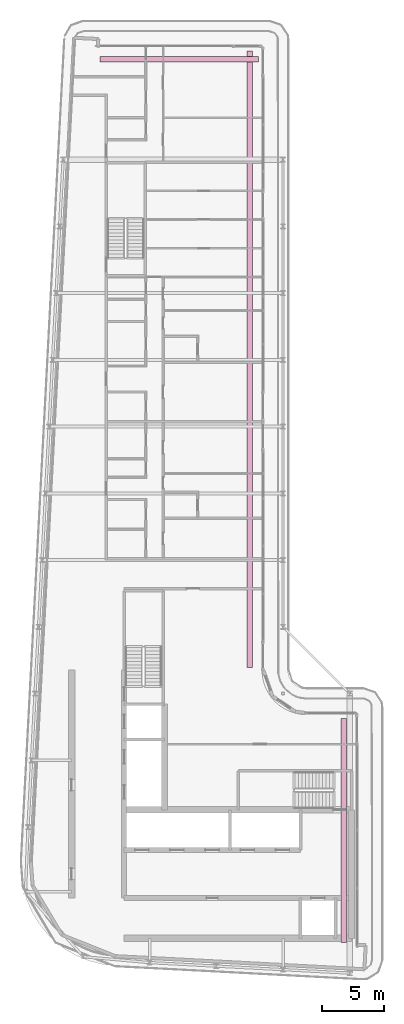
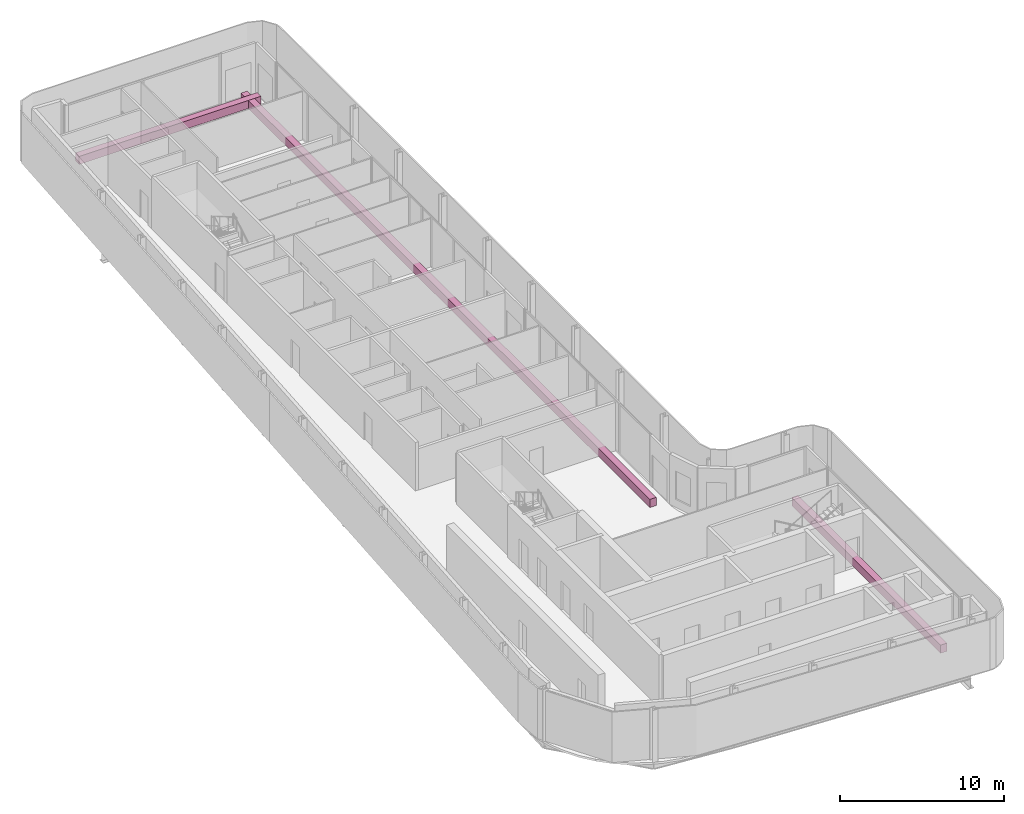
# One storey, part 18 of 18: 3 furniture elements.
"""IFC4 building model written with IfcOpenShell, lengths in metres."""

import ifcopenshell
import ifcopenshell.guid

model = None  # the IFC model being written
_history = None  # IfcOwnerHistory: only IFC2X3 demands one
_inside = {}  # id of a spatial element -> (the spatial element, [elements in it])
_under = {}  # id of a project, library or spatial element -> (it, [spatial elements below it])
_declared = {}  # id of a project -> (the project, [libraries it declares])
_typed = {}  # id of a type object -> (the type object, [elements of that type])
_made_of = {}  # id of a material, layer set ... -> (it, [elements and type objects made of it])


def new_model(schema):
    """Start an empty IFC model of exactly this schema.

    Asked for "IFC4X3", IfcOpenShell would pick the latest addendum, in which some entities
    have other attributes; the version numbers below select the first issue.
    IFC2X3 requires an IfcOwnerHistory on every rooted entity: one is made here for all.
    """
    global model, _history
    if schema == "IFC4X3":
        model = ifcopenshell.file(schema_version=(4, 3, 0, 0))
    else:
        model = ifcopenshell.file(schema=schema)
    _inside.clear()
    _under.clear()
    _declared.clear()
    _typed.clear()
    _made_of.clear()
    _history = None
    if model.schema == "IFC2X3":
        org = make("IfcOrganization", Name="unknown")
        user = make(
            "IfcPersonAndOrganization",
            ThePerson=make("IfcPerson", FamilyName="unknown"),
            TheOrganization=org,
        )
        app = make(
            "IfcApplication",
            ApplicationDeveloper=org,
            Version="unknown",
            ApplicationFullName="unknown",
            ApplicationIdentifier="unknown",
        )
        _history = make(
            "IfcOwnerHistory",
            OwningUser=user,
            OwningApplication=app,
            ChangeAction="ADDED",
            CreationDate=0,
        )
    return model


def make(cls, **values):
    """One entity of the class cls with the attributes given. An attribute that is None is left unset."""
    return model.create_entity(
        cls, **{name: value for name, value in values.items() if value is not None}
    )


def rooted(cls, **values):
    """An entity with a GlobalId (a new one), such as an element, a storey or a relation."""
    return make(cls, GlobalId=ifcopenshell.guid.new(), OwnerHistory=_history, **values)


def si_unit(unit_type, name, prefix=None):
    """IfcSIUnit, for example si_unit("LENGTHUNIT", "METRE", prefix="MILLI")."""
    return make("IfcSIUnit", UnitType=unit_type, Prefix=prefix, Name=name)


def assignment(units):
    """IfcUnitAssignment: the units of a project."""
    return None if units is None else make("IfcUnitAssignment", Units=units)


def point(xyz):
    """IfcCartesianPoint."""
    return None if xyz is None else make("IfcCartesianPoint", Coordinates=xyz)


def direction(xyz):
    """IfcDirection."""
    return None if xyz is None else make("IfcDirection", DirectionRatios=xyz)


def frame(location, z_axis=None, x_axis=None):
    """IfcAxis2Placement3D, a coordinate frame: its origin and axes. An axis left out is left unset."""
    return make(
        "IfcAxis2Placement3D",
        Location=point(location),
        Axis=direction(z_axis),
        RefDirection=direction(x_axis),
    )


def frame_2d(location, x_axis=None):
    """IfcAxis2Placement2D, a coordinate frame in the plane: its origin and x axis."""
    return make(
        "IfcAxis2Placement2D", Location=point(location), RefDirection=direction(x_axis)
    )


def origin():
    """The frame at (0, 0, 0) with its axes left unset."""
    return frame((0.0, 0.0, 0.0))


def origin_2d():
    """The frame at (0, 0) in the plane with its x axis left unset."""
    return frame_2d((0.0, 0.0))


def place(relative_to, where):
    """IfcLocalPlacement: puts the frame where relative to a parent placement (None: the world)."""
    return make(
        "IfcLocalPlacement", PlacementRelTo=relative_to, RelativePlacement=where
    )


def context(
    kind, dimensions, precision=None, world=None, true_north=None, identifier=None
):
    """IfcGeometricRepresentationContext, for example the 3D "Model" context."""
    return make(
        "IfcGeometricRepresentationContext",
        ContextIdentifier=identifier,
        ContextType=kind,
        CoordinateSpaceDimension=dimensions,
        Precision=precision,
        WorldCoordinateSystem=world,
        TrueNorth=true_north,
    )


def subcontext(parent, identifier, kind, view, scale=None):
    """IfcGeometricRepresentationSubContext, for example "Body" below "Model"."""
    return make(
        "IfcGeometricRepresentationSubContext",
        ContextIdentifier=identifier,
        ContextType=kind,
        ParentContext=parent,
        TargetScale=scale,
        TargetView=view,
    )


def project(units=None, contexts=None):
    """IfcProject with its units and contexts."""
    return rooted(
        "IfcProject",
        Name="project",
        RepresentationContexts=contexts,
        UnitsInContext=assignment(units),
    )


def spatial(cls, under=None, at=None, **own):
    """A site, building, storey or space (cls), placed at a placement, below another one or the project."""
    s = rooted(cls, ObjectPlacement=at, **own)
    if under is not None:
        _under.setdefault(under.id(), (under, []))[1].append(s)
    return s


def profile(cls, at=None, kind="AREA", **sizes):
    """A parametric profile (cls). Its sizes go by their IFC names, for example OverallWidth=200.0."""
    return make(cls, ProfileType=kind, Position=at, **sizes)


def rectangle(**sizes):
    """IfcRectangleProfileDef."""
    return profile("IfcRectangleProfileDef", **sizes)


def extrude(swept, where, along, depth):
    """IfcExtrudedAreaSolid: the profile swept, set in the frame where, extruded along a direction by depth."""
    return make(
        "IfcExtrudedAreaSolid",
        SweptArea=swept,
        Position=where,
        ExtrudedDirection=direction(along),
        Depth=depth,
    )


def shape(context_of_items, identifier, shape_type, items):
    """IfcShapeRepresentation: the items that make up one representation, for example the "Body"."""
    return make(
        "IfcShapeRepresentation",
        ContextOfItems=context_of_items,
        RepresentationIdentifier=identifier,
        RepresentationType=shape_type,
        Items=items,
    )


def material(Name=None, Category=None):
    """IfcMaterial."""
    return make("IfcMaterial", Name=Name, Category=Category)


def made_of(thing, what):
    """Note that an element or type object is made of a material, layer set ...; save() writes the relation."""
    if what is not None:
        _made_of.setdefault(what.id(), (what, []))[1].append(thing)
    return thing


def type_object(cls, material=None, **own):
    """A type object (cls), such as IfcWallType, which elements share."""
    return made_of(rooted(cls, **own), material)


def element(
    cls,
    number,
    at=None,
    inside=None,
    cuts=None,
    type_object=None,
    material=None,
    context=None,
    identifier="Body",
    shape_type=None,
    held_by="IfcProductDefinitionShape",
    body=None,
    shapes=None,
    **own,
):
    """One element of the class cls, such as IfcWall. Its Tag is "e" and its number.

    at: its placement. inside: the storey or other place that contains it. cuts: it is an
    opening in that element (IfcRelVoidsElement). A single representation is given by context,
    identifier, shape_type and body (its items); several are given by shapes. held_by: the class
    of the entity that holds the representations. save() writes the other relations.
    """
    e = rooted(cls, Tag="e%d" % number, ObjectPlacement=at, **own)
    if body is not None:
        shapes = [shape(context, identifier, shape_type, body)]
    if shapes is not None:
        e.Representation = make(held_by, Representations=shapes)
    if inside is not None:
        _inside.setdefault(inside.id(), (inside, []))[1].append(e)
    if cuts is not None:
        rooted(
            "IfcRelVoidsElement", RelatingBuildingElement=cuts, RelatedOpeningElement=e
        )
    if type_object is not None:
        _typed.setdefault(type_object.id(), (type_object, []))[1].append(e)
    return made_of(e, material)


def aggregate(whole, parts):
    """IfcRelAggregates: a whole, such as a stair, and the parts it consists of."""
    return rooted("IfcRelAggregates", RelatingObject=whole, RelatedObjects=parts)


def save(model, path):
    """Write the relations noted so far, then the file.

    IfcRelAggregates (storeys below a building ...), IfcRelContainedInSpatialStructure (elements
    in a storey), IfcRelDefinesByType, IfcRelAssociatesMaterial and IfcRelDeclares: one each for
    every whole, place, type object, material and project.
    """
    for whole, parts in _under.values():
        aggregate(whole, parts)
    for where, things in _inside.values():
        rooted(
            "IfcRelContainedInSpatialStructure",
            RelatedElements=things,
            RelatingStructure=where,
        )
    for kind, things in _typed.values():
        rooted("IfcRelDefinesByType", RelatedObjects=things, RelatingType=kind)
    for what, things in _made_of.values():
        rooted("IfcRelAssociatesMaterial", RelatedObjects=things, RelatingMaterial=what)
    for by, libraries in _declared.values():
        rooted("IfcRelDeclares", RelatingContext=by, RelatedDefinitions=libraries)
    model.write(path)


model = new_model("IFC4")

# Units and contexts
model_context = context("Model", 3, precision=1e-05, world=origin(), true_north=direction((0.0, 1.0)))
body_context = subcontext(model_context, "Body", "Model", "MODEL_VIEW")
ifc_project = project(units=[si_unit("LENGTHUNIT", "METRE"), si_unit("AREAUNIT", "SQUARE_METRE"), si_unit("VOLUMEUNIT", "CUBIC_METRE"), si_unit("PLANEANGLEUNIT", "RADIAN"), si_unit("MASSUNIT", "GRAM", prefix="KILO")], contexts=[model_context])

# Site, building, storey
site_placement = place(None, origin())
site = spatial("IfcSite", under=ifc_project, at=site_placement, CompositionType="ELEMENT")
building_placement = place(site_placement, origin())
building = spatial("IfcBuilding", under=site, at=building_placement, Name="Kheshtan School and Residences Tower", CompositionType="ELEMENT")
storey_placement = place(building_placement, frame((0.0, 0.0, 377.300048828125)))
storey = spatial("IfcBuildingStorey", under=building, at=storey_placement, Name="L89", CompositionType="ELEMENT", Elevation=377.300048828125)

# Furniture
ifc_material = material(Name="Precast concrete C30/37 in terracotta finish", Category="masonry")
furniture_type = type_object("IfcFurnitureType", Name="Planter trough", AssemblyPlace="NOTDEFINED", PredefinedType="USERDEFINED", material=ifc_material)
furniture_1_placement = place(storey_placement, frame((39.196044921875, 96.925048828125, 0.0), z_axis=(0.0, 0.0, 1.0), x_axis=(1.0, 0.0, 0.0)))
element("IfcFurniture", 1, at=furniture_1_placement, inside=storey, type_object=furniture_type, Name="Planter L89", ObjectType="PLANTER", PredefinedType="USERDEFINED", context=body_context, shape_type="SweptSolid", body=[
    extrude(rectangle(XDim=12.80810546875, YDim=0.449951171875, at=origin_2d()), origin(), (0.0, 0.0, 1.0), 0.60009765625),
])
furniture_2_placement = place(storey_placement, frame((44.925048828125, 72.6650390625, 0.0), z_axis=(0.0, 0.0, 1.0), x_axis=(0.0, -1.0, 0.0)))
element("IfcFurniture", 2, at=furniture_2_placement, inside=storey, type_object=furniture_type, Name="Planter L89", ObjectType="PLANTER", PredefinedType="USERDEFINED", context=body_context, shape_type="SweptSolid", body=[
    extrude(rectangle(XDim=49.8701171875, YDim=0.449951171875, at=origin_2d()), origin(), (0.0, 0.0, 1.0), 0.60009765625),
])
furniture_3_placement = place(storey_placement, frame((52.52490234375, 34.528076171875, 0.0), z_axis=(0.0, 0.0, 1.0), x_axis=(0.0, -1.0, 0.0)))
element("IfcFurniture", 3, at=furniture_3_placement, inside=storey, type_object=furniture_type, Name="Planter L89", ObjectType="PLANTER", PredefinedType="USERDEFINED", context=body_context, shape_type="SweptSolid", body=[
    extrude(rectangle(XDim=18.14404296875, YDim=0.449951171875, at=origin_2d()), origin(), (0.0, 0.0, 1.0), 0.60009765625),
])

save(model, "model.ifc")
